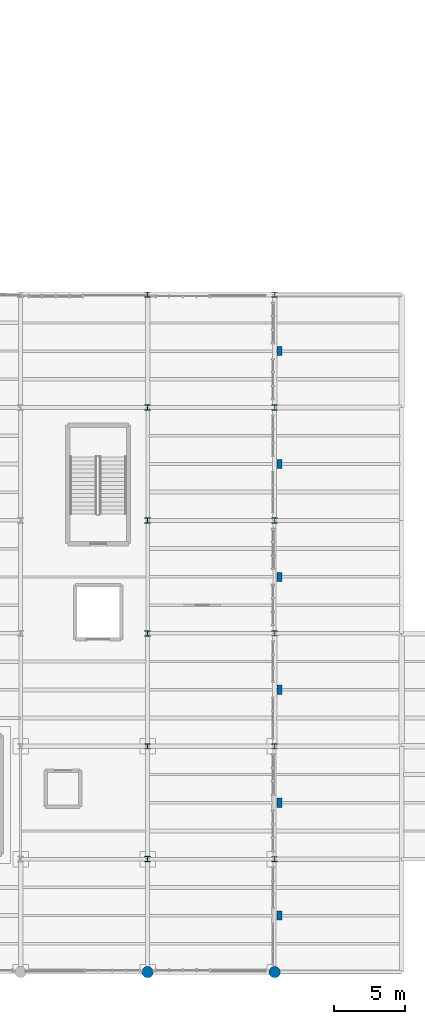
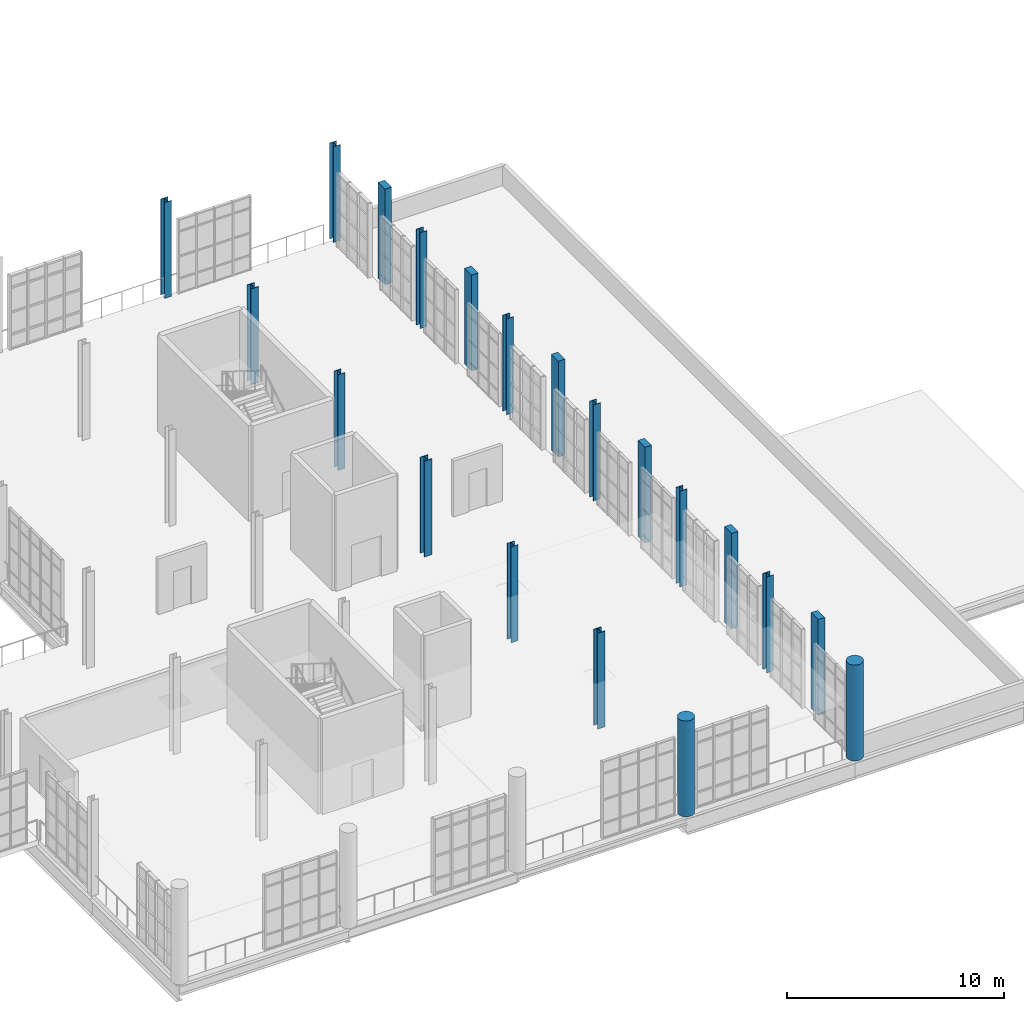
# One storey, part 13 of 142: 20 columns.
"""IFC4 building model written with IfcOpenShell, lengths in metres."""

from ifc_helpers import new_model, si_unit, direction, frame, origin, origin_2d, place, context, subcontext, project, spatial, rectangle, circle, i_section, extrude, material, material_profile, profile_set, type_object, element, save


model = new_model("IFC4")

# Units and contexts
model_context = context("Model", 3, precision=1e-05, world=origin(), true_north=direction((0.0, 1.0)))
body_context = subcontext(model_context, "Body", "Model", "MODEL_VIEW")
ifc_project = project(units=[si_unit("LENGTHUNIT", "METRE"), si_unit("AREAUNIT", "SQUARE_METRE"), si_unit("VOLUMEUNIT", "CUBIC_METRE"), si_unit("PLANEANGLEUNIT", "RADIAN"), si_unit("MASSUNIT", "GRAM", prefix="KILO"), si_unit("THERMODYNAMICTEMPERATUREUNIT", "KELVIN"), si_unit("POWERUNIT", "WATT")], contexts=[model_context])

# Site, building, storey
site_placement = place(None, origin())
site = spatial("IfcSite", under=ifc_project, at=site_placement, CompositionType="ELEMENT")
building_placement = place(site_placement, origin())
building = spatial("IfcBuilding", under=site, at=building_placement, Name="Zelmaris Science Centre", CompositionType="ELEMENT")
storey_placement = place(building_placement, frame((0.0, 0.0, 5.39990234375)))
storey = spatial("IfcBuildingStorey", under=building, at=storey_placement, Name="L01", CompositionType="ELEMENT", Elevation=5.39990234375)

# Columns
ifc_material_1 = material(Name="Steel ASTM A992 Grade 50", Category="steel")
ifc_material_profile_1 = material_profile(ifc_material_1, i_section(OverallWidth=0.40087890625, OverallDepth=0.39892578125, WebThickness=0.02490234375, FlangeThickness=0.03955078125, FilletRadius=0.014892578125, at=origin_2d()), Name="W14X211")
ifc_profile_set_1 = profile_set([ifc_material_profile_1], Name="Steel ASTM A992 Grade 50")
column_type_1 = type_object("IfcColumnType", Name="Column C-03 W14X211", PredefinedType="COLUMN", material=ifc_profile_set_1)
for number, where, z_axis, x_axis, name in (
    (1, (135.0, 16.0, 0.0), (0.0, 0.0, 1.0), (1.0, 0.0, 0.0), "Column V4-C-135-16 L01"),
    (2, (135.0, 32.0, 0.0), (0.0, 0.0, 1.0), (1.0, 0.0, 0.0), "Column V4-C-135-32 L01"),
    (3, (135.0, 48.0, 0.0), (0.0, 0.0, 1.0), (1.0, 0.0, 0.0), "Column V4-C-135-48 L01"),
):
    element("IfcColumn", number, at=place(storey_placement, frame(where, z_axis=z_axis, x_axis=x_axis)), inside=storey, type_object=column_type_1, Name=name, PredefinedType="COLUMN", context=body_context, shape_type="SweptSolid", body=[
        extrude(i_section(OverallWidth=0.40087890625, OverallDepth=0.39892578125, WebThickness=0.02490234375, FlangeThickness=0.03955078125, FilletRadius=0.014892578125, at=origin_2d()), origin(), (0.0, 0.0, 1.0), 5.400146484375),
    ])
ifc_material_profile_2 = material_profile(ifc_material_1, i_section(OverallWidth=0.373046875, OverallDepth=0.367919921875, WebThickness=0.014892578125, FlangeThickness=0.02392578125, FilletRadius=0.014892578125, at=origin_2d()), Name="W14X120")
ifc_profile_set_2 = profile_set([ifc_material_profile_2], Name="Steel ASTM A992 Grade 50")
column_type_2 = type_object("IfcColumnType", Name="Column C-06 W14X120", PredefinedType="COLUMN", material=ifc_profile_set_2)
for number, where, z_axis, x_axis, name in (
    (4, (135.0, 24.0, 0.0), (0.0, 0.0, 1.0), (1.0, 0.0, 0.0), "Column V4-C-135-24 L01"),
    (5, (135.0, 40.0, 0.0), (0.0, 0.0, 1.0), (1.0, 0.0, 0.0), "Column V4-C-135-40 L01"),
    (6, (135.0, 56.0, 0.0), (0.0, 0.0, 1.0), (1.0, 0.0, 0.0), "Column V4-C-135-56 L01"),
    (7, (144.0, 16.0, 0.0), (0.0, 0.0, 1.0), (1.0, 0.0, 0.0), "Column V4-C-144-16 L01"),
    (8, (144.0, 24.0, 0.0), (0.0, 0.0, 1.0), (1.0, 0.0, 0.0), "Column V4-C-144-24 L01"),
    (9, (144.0, 32.0, 0.0), (0.0, 0.0, 1.0), (1.0, 0.0, 0.0), "Column V4-C-144-32 L01"),
    (10, (144.0, 40.0, 0.0), (0.0, 0.0, 1.0), (1.0, 0.0, 0.0), "Column V4-C-144-40 L01"),
    (11, (144.0, 48.0, 0.0), (0.0, 0.0, 1.0), (1.0, 0.0, 0.0), "Column V4-C-144-48 L01"),
    (12, (144.0, 56.0, 0.0), (0.0, 0.0, 1.0), (1.0, 0.0, 0.0), "Column V4-C-144-56 L01"),
):
    element("IfcColumn", number, at=place(storey_placement, frame(where, z_axis=z_axis, x_axis=x_axis)), inside=storey, type_object=column_type_2, Name=name, PredefinedType="COLUMN", context=body_context, shape_type="SweptSolid", body=[
        extrude(i_section(OverallWidth=0.373046875, OverallDepth=0.367919921875, WebThickness=0.014892578125, FlangeThickness=0.02392578125, FilletRadius=0.014892578125, at=origin_2d()), origin(), (0.0, 0.0, 1.0), 5.400146484375),
    ])
ifc_material_2 = material(Name="Yucatan limestone ashlar masonry", Category="masonry")
ifc_material_profile_3 = material_profile(ifc_material_2, circle(Radius=0.39990234375, at=origin_2d()), Name="COL-LIM-D800")
ifc_profile_set_3 = profile_set([ifc_material_profile_3], Name="Yucatan limestone ashlar masonry")
column_type_3 = type_object("IfcColumnType", Name="Column C-17 COL-LIM-D800", PredefinedType="COLUMN", material=ifc_profile_set_3)
for number, where, z_axis, x_axis, name in (
    (13, (135.0, 8.0, 0.0), (0.0, 0.0, 1.0), (1.0, 0.0, 0.0), "Column V4-C-135-8 L01"),
    (14, (144.0, 8.0, 0.0), (0.0, 0.0, 1.0), (1.0, 0.0, 0.0), "Column V4-C-144-8 L01"),
):
    element("IfcColumn", number, at=place(storey_placement, frame(where, z_axis=z_axis, x_axis=x_axis)), inside=storey, type_object=column_type_3, Name=name, PredefinedType="COLUMN", context=body_context, shape_type="SweptSolid", body=[
        extrude(circle(Radius=0.39990234375, at=origin_2d()), origin(), (0.0, 0.0, 1.0), 5.400146484375),
    ])
ifc_material_profile_4 = material_profile(ifc_material_2, rectangle(XDim=0.64990234375, YDim=0.35009765625, at=origin_2d()), Name="PIL-LIM-650X350")
ifc_profile_set_4 = profile_set([ifc_material_profile_4], Name="Yucatan limestone ashlar masonry")
column_type_4 = type_object("IfcColumnType", Name="Pilaster PL-02 PIL-LIM-650X350", PredefinedType="PILASTER", material=ifc_profile_set_4)
for number, where, z_axis, x_axis, name in (
    (15, (144.35009765625, 12.0, 0.0), (0.0, 0.0, 1.0), (0.0, 1.0, 0.0), "Limestone pilaster PIL-V4E-1 L01"),
    (16, (144.35009765625, 20.0, 0.0), (0.0, 0.0, 1.0), (0.0, 1.0, 0.0), "Limestone pilaster PIL-V4E-2 L01"),
    (17, (144.35009765625, 28.0, 0.0), (0.0, 0.0, 1.0), (0.0, 1.0, 0.0), "Limestone pilaster PIL-V4E-3 L01"),
    (18, (144.35009765625, 36.0, 0.0), (0.0, 0.0, 1.0), (0.0, 1.0, 0.0), "Limestone pilaster PIL-V4E-4 L01"),
    (19, (144.35009765625, 44.0, 0.0), (0.0, 0.0, 1.0), (0.0, 1.0, 0.0), "Limestone pilaster PIL-V4E-5 L01"),
    (20, (144.35009765625, 52.0, 0.0), (0.0, 0.0, 1.0), (0.0, 1.0, 0.0), "Limestone pilaster PIL-V4E-6 L01"),
):
    element("IfcColumn", number, at=place(storey_placement, frame(where, z_axis=z_axis, x_axis=x_axis)), inside=storey, type_object=column_type_4, Name=name, PredefinedType="PILASTER", context=body_context, shape_type="SweptSolid", body=[
        extrude(rectangle(XDim=0.64990234375, YDim=0.35009765625, at=origin_2d()), origin(), (0.0, 0.0, 1.0), 5.400146484375),
    ])

save(model, "model.ifc")
